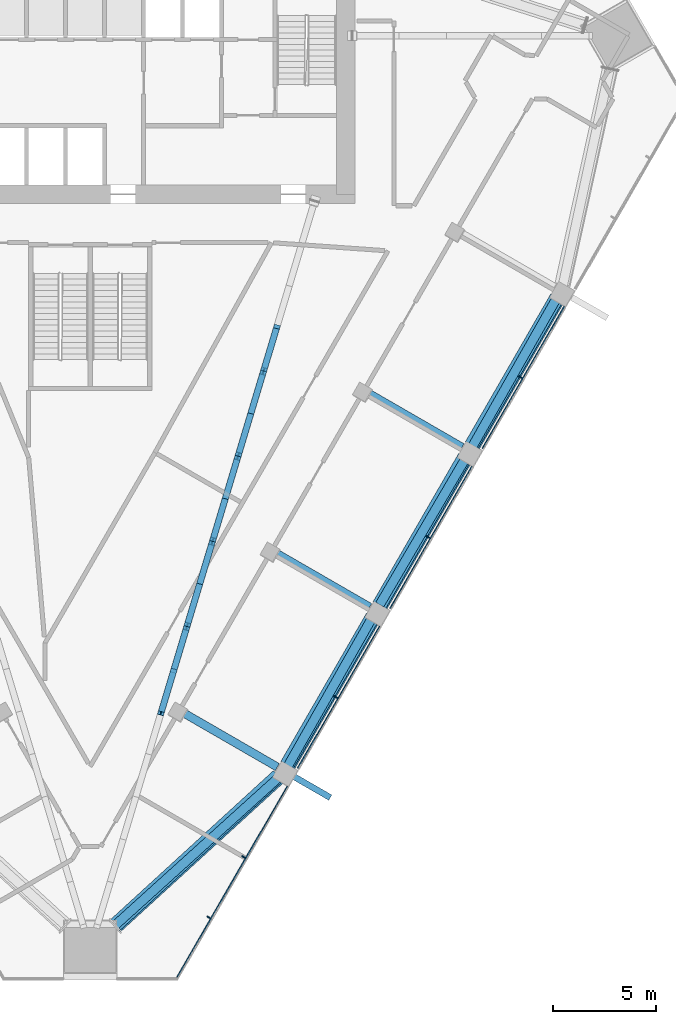
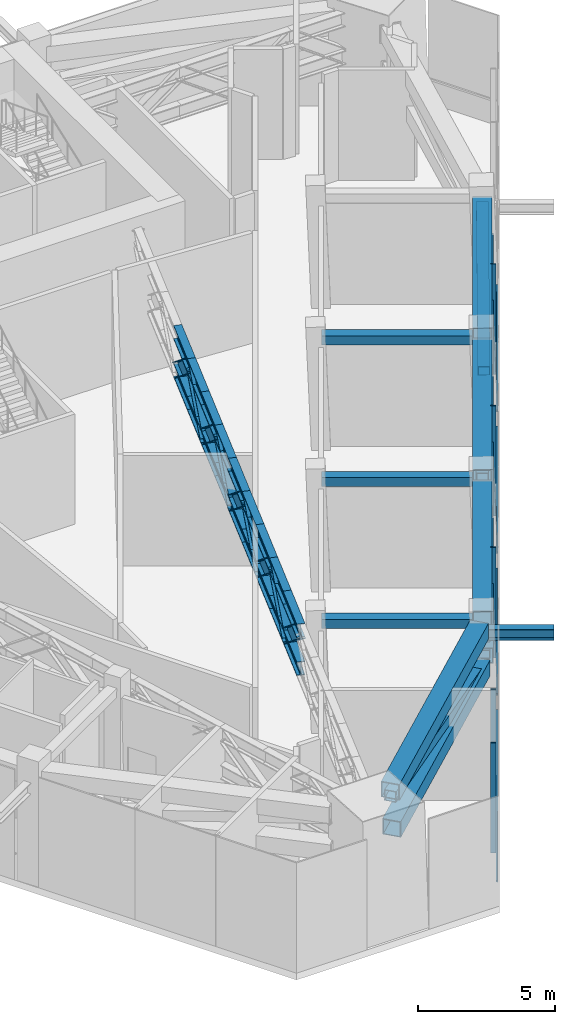
# One storey, part 4 of 15: 49 members, 3 beams, 1 element without a shape of its own.
"""IFC4 building model written with IfcOpenShell, lengths in metres."""

from ifc_helpers import new_model, si_unit, direction, frame, origin, origin_2d, place, context, subcontext, project, spatial, rectangle, hollow_rectangle, i_section, extrude, material, layer, layer_set, material_profile, profile_set, type_object, element, aggregate, save


model = new_model("IFC4")

# Units and contexts
model_context = context("Model", 3, precision=1e-05, world=origin(), true_north=direction((0.0, 1.0)))
body_context = subcontext(model_context, "Body", "Model", "MODEL_VIEW")
ifc_project = project(units=[si_unit("LENGTHUNIT", "METRE"), si_unit("AREAUNIT", "SQUARE_METRE"), si_unit("VOLUMEUNIT", "CUBIC_METRE"), si_unit("PLANEANGLEUNIT", "RADIAN"), si_unit("MASSUNIT", "GRAM", prefix="KILO")], contexts=[model_context])

# Site, building, storey
site_placement = place(None, origin())
site = spatial("IfcSite", under=ifc_project, at=site_placement, CompositionType="ELEMENT")
building_placement = place(site_placement, origin())
building = spatial("IfcBuilding", under=site, at=building_placement, Name="Altiplano Prism Tower", CompositionType="ELEMENT")
storey_placement = place(building_placement, frame((0.0, 0.0, 95.39990234375)))
storey = spatial("IfcBuildingStorey", under=building, at=storey_placement, Name="L24", CompositionType="ELEMENT", Elevation=95.39990234375)

# Members
ifc_material_1 = material(Name="Steel S355", Category="steel")
ifc_material_profile_1 = material_profile(ifc_material_1, hollow_rectangle(XDim=0.699951171875, YDim=0.699951171875, WallThickness=0.034912109375, at=origin_2d()), Name="Belt chord Box 700x700x35")
ifc_profile_set_1 = profile_set([ifc_material_profile_1], Name="Steel S355")
member_type_1 = type_object("IfcMemberType", Name="Belt chord Box 700x700x35", PredefinedType="CHORD", material=ifc_profile_set_1)
member_1_placement = place(storey_placement, frame((86.240966796875, 57.265380859375, 2.9501953125), z_axis=(0.738109005896, 0.674681477006, 0.0), x_axis=(-0.674681477006, 0.738109005896, 0.0)))
element("IfcMember", 1, at=member_1_placement, inside=storey, type_object=member_type_1, Name="Belt truss R1 chord b10", PredefinedType="CHORD", context=body_context, shape_type="SweptSolid", body=[
    extrude(hollow_rectangle(XDim=0.699951171875, YDim=0.699951171875, WallThickness=0.034912109375, at=origin_2d()), origin(), (0.0, 0.0, 1.0), 10.78515625),
])
member_2_placement = place(storey_placement, frame((86.240966796875, 57.35888671875, 4.550048828125), z_axis=(0.738081220215, 0.674711873592, 0.0), x_axis=(-0.674711873592, 0.738081220215, 0.0)))
element("IfcMember", 2, at=member_2_placement, inside=storey, type_object=member_type_1, Name="Belt truss R1 chord t10", PredefinedType="CHORD", context=body_context, shape_type="SweptSolid", body=[
    extrude(hollow_rectangle(XDim=0.699951171875, YDim=0.699951171875, WallThickness=0.034912109375, at=origin_2d()), origin(), (0.0, 0.0, 1.0), 10.7373046875),
])
member_3_placement = place(storey_placement, frame((94.62646484375, 65.0654296875, 2.9501953125), z_axis=(0.499992746786, 0.866029591389, 0.0), x_axis=(-0.866029591389, 0.499992746786, 0.0)))
element("IfcMember", 3, at=member_3_placement, inside=storey, type_object=member_type_1, Name="Belt truss R1 chord b11", PredefinedType="CHORD", context=body_context, shape_type="SweptSolid", body=[
    extrude(hollow_rectangle(XDim=0.699951171875, YDim=0.699951171875, WallThickness=0.034912109375, at=origin_2d()), origin(), (0.0, 0.0, 1.0), 8.33984375),
])
member_4_placement = place(storey_placement, frame((94.5908203125, 65.126953125, 4.550048828125), z_axis=(0.500014701701, 0.866016915587, 0.0), x_axis=(-0.866016915587, 0.500014701701, 0.0)))
element("IfcMember", 4, at=member_4_placement, inside=storey, type_object=member_type_1, Name="Belt truss R1 chord t11", PredefinedType="CHORD", context=body_context, shape_type="SweptSolid", body=[
    extrude(hollow_rectangle(XDim=0.699951171875, YDim=0.699951171875, WallThickness=0.034912109375, at=origin_2d()), origin(), (0.0, 0.0, 1.0), 8.340087890625),
])
member_5_placement = place(storey_placement, frame((99.12646484375, 72.859619140625, 2.9501953125), z_axis=(0.499992746786, 0.866029591389, 0.0), x_axis=(-0.866029591389, 0.499992746786, 0.0)))
element("IfcMember", 5, at=member_5_placement, inside=storey, type_object=member_type_1, Name="Belt truss R1 chord b12", PredefinedType="CHORD", context=body_context, shape_type="SweptSolid", body=[
    extrude(hollow_rectangle(XDim=0.699951171875, YDim=0.699951171875, WallThickness=0.034912109375, at=origin_2d()), origin(), (0.0, 0.0, 1.0), 8.33984375),
])
member_6_placement = place(storey_placement, frame((99.0908203125, 72.921142578125, 4.550048828125), z_axis=(0.500014701701, 0.866016915587, 0.0), x_axis=(-0.866016915587, 0.500014701701, 0.0)))
element("IfcMember", 6, at=member_6_placement, inside=storey, type_object=member_type_1, Name="Belt truss R1 chord t12", PredefinedType="CHORD", context=body_context, shape_type="SweptSolid", body=[
    extrude(hollow_rectangle(XDim=0.699951171875, YDim=0.699951171875, WallThickness=0.034912109375, at=origin_2d()), origin(), (0.0, 0.0, 1.0), 8.340087890625),
])
member_7_placement = place(storey_placement, frame((103.62646484375, 80.65380859375, 2.9501953125), z_axis=(0.499992746786, 0.866029591389, 0.0), x_axis=(-0.866029591389, 0.499992746786, 0.0)))
element("IfcMember", 7, at=member_7_placement, inside=storey, type_object=member_type_1, Name="Belt truss R1 chord b13", PredefinedType="CHORD", context=body_context, shape_type="SweptSolid", body=[
    extrude(hollow_rectangle(XDim=0.699951171875, YDim=0.699951171875, WallThickness=0.034912109375, at=origin_2d()), origin(), (0.0, 0.0, 1.0), 8.33984375),
])
member_8_placement = place(storey_placement, frame((103.5908203125, 80.71533203125, 4.550048828125), z_axis=(0.500014701701, 0.866016915587, 0.0), x_axis=(-0.866016915587, 0.500014701701, 0.0)))
element("IfcMember", 8, at=member_8_placement, inside=storey, type_object=member_type_1, Name="Belt truss R1 chord t13", PredefinedType="CHORD", context=body_context, shape_type="SweptSolid", body=[
    extrude(hollow_rectangle(XDim=0.699951171875, YDim=0.699951171875, WallThickness=0.034912109375, at=origin_2d()), origin(), (0.0, 0.0, 1.0), 8.340087890625),
])
ifc_material_profile_2 = material_profile(ifc_material_1, hollow_rectangle(XDim=0.449951171875, YDim=0.449951171875, WallThickness=0.02490234375, at=origin_2d()), Name="Belt diagonal Box 450x450x25")
ifc_profile_set_2 = profile_set([ifc_material_profile_2], Name="Steel S355")
member_type_2 = type_object("IfcMemberType", Name="Belt diagonal Box 450x450x25", PredefinedType="BRACE", material=ifc_profile_set_2)
member_9_placement = place(storey_placement, frame((86.21728515625, 57.3251953125, 4.34423828125), z_axis=(0.73597993285, 0.665463246419, -0.12446769102), x_axis=(-0.670678670974, 0.741748016715, 0.0)))
element("IfcMember", 9, at=member_9_placement, inside=storey, type_object=member_type_2, Name="Belt truss R1 diagonal 10", PredefinedType="BRACE", context=body_context, shape_type="SweptSolid", body=[
    extrude(hollow_rectangle(XDim=0.449951171875, YDim=0.449951171875, WallThickness=0.02490234375, at=origin_2d()), origin(), (0.0, 0.0, 1.0), 10.846923828125),
])
member_10_placement = place(storey_placement, frame((94.62451171875, 65.06640625, 3.008544921875), z_axis=(0.486525163526, 0.856090263258, 0.174363776085), x_axis=(-0.869408465859, 0.494094039118, 0.0)))
element("IfcMember", 10, at=member_10_placement, inside=storey, type_object=member_type_2, Name="Belt truss R1 diagonal 11", PredefinedType="BRACE", context=body_context, shape_type="SweptSolid", body=[
    extrude(hollow_rectangle(XDim=0.449951171875, YDim=0.449951171875, WallThickness=0.02490234375, at=origin_2d()), origin(), (0.0, 0.0, 1.0), 8.506103515625),
])
member_11_placement = place(storey_placement, frame((99.0927734375, 72.919921875, 4.4912109375), z_axis=(0.498070077838, 0.849150154203, -0.175699212234), x_axis=(-0.862568356186, 0.50594054088, 0.0)))
element("IfcMember", 11, at=member_11_placement, inside=storey, type_object=member_type_2, Name="Belt truss R1 diagonal 12", PredefinedType="BRACE", context=body_context, shape_type="SweptSolid", body=[
    extrude(hollow_rectangle(XDim=0.449951171875, YDim=0.449951171875, WallThickness=0.02490234375, at=origin_2d()), origin(), (0.0, 0.0, 1.0), 8.435791015625),
])
member_12_placement = place(storey_placement, frame((103.62451171875, 80.655029296875, 3.008544921875), z_axis=(0.486525163526, 0.856090263258, 0.174363776085), x_axis=(-0.869408465859, 0.494094039118, 0.0)))
element("IfcMember", 12, at=member_12_placement, inside=storey, type_object=member_type_2, Name="Belt truss R1 diagonal 13", PredefinedType="BRACE", context=body_context, shape_type="SweptSolid", body=[
    extrude(hollow_rectangle(XDim=0.449951171875, YDim=0.449951171875, WallThickness=0.02490234375, at=origin_2d()), origin(), (0.0, 0.0, 1.0), 8.506103515625),
])
ifc_material_profile_3 = material_profile(ifc_material_1, i_section(OverallWidth=0.300048828125, OverallDepth=0.5, WebThickness=0.014404296875, FlangeThickness=0.028076171875, FilletRadius=0.027099609375, at=origin_2d()), Name="Brace bracket HEB 500")
ifc_profile_set_3 = profile_set([ifc_material_profile_3], Name="Steel S355")
member_type_3 = type_object("IfcMemberType", Name="Brace bracket HEB 500", PredefinedType="STRUT", material=ifc_profile_set_3)
member_13_placement = place(storey_placement, frame((94.406982421875, 64.873779296875, 4.165283203125), z_axis=(0.866029095148, -0.499993606316, 0.0), x_axis=(0.499993606316, 0.866029095148, 0.0)))
element("IfcMember", 13, at=member_13_placement, inside=storey, type_object=member_type_3, Name="Brace bracket 2.100.8", PredefinedType="STRUT", context=body_context, shape_type="SweptSolid", body=[
    extrude(i_section(OverallWidth=0.300048828125, OverallDepth=0.5, WebThickness=0.014404296875, FlangeThickness=0.028076171875, FilletRadius=0.027099609375, at=origin_2d()), origin(), (0.0, 0.0, 1.0), 2.64990234375),
])

# Curtain wall, members
ifc_material_2 = material(Name="Aluminium and glass", Category="aluminium")
ifc_layer = layer(ifc_material_2, 0.320068359375)
ifc_layer_set = layer_set([ifc_layer], Name="Aluminium and glass")
curtain_wall_type = type_object("IfcCurtainWallType", Name="CW6 louvred plant-floor curtain wall", PredefinedType="NOTDEFINED", material=ifc_layer_set)
curtain_wall_placement = place(storey_placement, origin())
curtain_wall = element("IfcCurtainWall", 14, at=curtain_wall_placement, inside=storey, type_object=curtain_wall_type, Name="CW6 curtain wall south-east face L24", PredefinedType="NOTDEFINED")
ifc_material_3 = material(Name="Aluminium", Category="aluminium")
ifc_material_profile_4 = material_profile(ifc_material_3, rectangle(XDim=0.199951171875, YDim=0.06005859375, at=origin_2d()), Name="CW6 mullion 60 x 200")
ifc_profile_set_4 = profile_set([ifc_material_profile_4], Name="Aluminium")
member_type_4 = type_object("IfcMemberType", Name="CW6 mullion 60 x 200", PredefinedType="MULLION", material=ifc_profile_set_4)
member_14_placement = place(storey_placement, frame((90.77734375, 57.711181640625, 0.0), z_axis=(0.0, 0.0, 1.0), x_axis=(-0.86602540498, 0.499999997929, 0.0)))
member_14 = element("IfcMember", 15, at=member_14_placement, type_object=member_type_4, Name="CW6 mullion", PredefinedType="MULLION", context=body_context, shape_type="SweptSolid", body=[
    extrude(rectangle(XDim=0.199951171875, YDim=0.06005859375, at=origin_2d()), origin(), (0.0, 0.0, 1.0), 4.900146484375),
])
member_15_placement = place(storey_placement, frame((92.476318359375, 60.65380859375, 0.0), z_axis=(0.0, 0.0, 1.0), x_axis=(-0.86602540498, 0.499999997929, 0.0)))
member_15 = element("IfcMember", 16, at=member_15_placement, type_object=member_type_4, Name="CW6 mullion", PredefinedType="MULLION", context=body_context, shape_type="SweptSolid", body=[
    extrude(rectangle(XDim=0.199951171875, YDim=0.06005859375, at=origin_2d()), origin(), (0.0, 0.0, 1.0), 4.900146484375),
])
member_16_placement = place(storey_placement, frame((96.976318359375, 68.4482421875, 0.0), z_axis=(0.0, 0.0, 1.0), x_axis=(-0.86602540498, 0.499999997929, 0.0)))
member_16 = element("IfcMember", 17, at=member_16_placement, type_object=member_type_4, Name="CW6 mullion", PredefinedType="MULLION", context=body_context, shape_type="SweptSolid", body=[
    extrude(rectangle(XDim=0.199951171875, YDim=0.06005859375, at=origin_2d()), origin(), (0.0, 0.0, 1.0), 4.900146484375),
])
member_17_placement = place(storey_placement, frame((101.476318359375, 76.242431640625, 0.0), z_axis=(0.0, 0.0, 1.0), x_axis=(-0.86602540498, 0.499999997929, 0.0)))
member_17 = element("IfcMember", 18, at=member_17_placement, type_object=member_type_4, Name="CW6 mullion", PredefinedType="MULLION", context=body_context, shape_type="SweptSolid", body=[
    extrude(rectangle(XDim=0.199951171875, YDim=0.06005859375, at=origin_2d()), origin(), (0.0, 0.0, 1.0), 4.900146484375),
])
member_18_placement = place(storey_placement, frame((105.976318359375, 84.03662109375, 0.0), z_axis=(0.0, 0.0, 1.0), x_axis=(-0.86602540498, 0.499999997929, 0.0)))
member_18 = element("IfcMember", 19, at=member_18_placement, type_object=member_type_4, Name="CW6 mullion", PredefinedType="MULLION", context=body_context, shape_type="SweptSolid", body=[
    extrude(rectangle(XDim=0.199951171875, YDim=0.06005859375, at=origin_2d()), origin(), (0.0, 0.0, 1.0), 4.900146484375),
])
ifc_material_profile_5 = material_profile(ifc_material_3, rectangle(XDim=0.06005859375, YDim=0.080078125, at=origin_2d()), Name="CW6 transom 80 x 60")
ifc_profile_set_5 = profile_set([ifc_material_profile_5], Name="Aluminium")
member_type_5 = type_object("IfcMemberType", Name="CW6 transom 80 x 60", PredefinedType="USERDEFINED", material=ifc_profile_set_5)
member_19_placement = place(storey_placement, frame((89.19091796875, 54.70361328125, 1.10009765625), z_axis=(0.500003046405, 0.866023644935, 0.0), x_axis=(-0.866023644935, 0.500003046405, 0.0)))
member_19 = element("IfcMember", 20, at=member_19_placement, type_object=member_type_5, Name="CW6 transom", ObjectType="TRANSOM", PredefinedType="USERDEFINED", context=body_context, shape_type="SweptSolid", body=[
    extrude(rectangle(XDim=0.06005859375, YDim=0.080078125, at=origin_2d()), origin(), (0.0, 0.0, 1.0), 10.845703125),
])
member_20_placement = place(storey_placement, frame((95.123779296875, 64.979736328125, 1.10009765625), z_axis=(0.500012007223, 0.8660184713, 0.0), x_axis=(-0.8660184713, 0.500012007223, 0.0)))
member_20 = element("IfcMember", 21, at=member_20_placement, type_object=member_type_5, Name="CW6 transom", ObjectType="TRANSOM", PredefinedType="USERDEFINED", context=body_context, shape_type="SweptSolid", body=[
    extrude(rectangle(XDim=0.06005859375, YDim=0.080078125, at=origin_2d()), origin(), (0.0, 0.0, 1.0), 7.979736328125),
])
member_21_placement = place(storey_placement, frame((99.623779296875, 72.77392578125, 1.10009765625), z_axis=(0.499998759335, 0.866026120082, 0.0), x_axis=(-0.866026120082, 0.499998759335, 0.0)))
member_21 = element("IfcMember", 22, at=member_21_placement, type_object=member_type_5, Name="CW6 transom", ObjectType="TRANSOM", PredefinedType="USERDEFINED", context=body_context, shape_type="SweptSolid", body=[
    extrude(rectangle(XDim=0.06005859375, YDim=0.080078125, at=origin_2d()), origin(), (0.0, 0.0, 1.0), 7.97998046875),
])
member_22_placement = place(storey_placement, frame((104.123779296875, 80.568115234375, 1.10009765625), z_axis=(0.499998759335, 0.866026120082, 0.0), x_axis=(-0.866026120082, 0.499998759335, 0.0)))
member_22 = element("IfcMember", 23, at=member_22_placement, type_object=member_type_5, Name="CW6 transom", ObjectType="TRANSOM", PredefinedType="USERDEFINED", context=body_context, shape_type="SweptSolid", body=[
    extrude(rectangle(XDim=0.06005859375, YDim=0.080078125, at=origin_2d()), origin(), (0.0, 0.0, 1.0), 7.97998046875),
])
aggregate(curtain_wall, [member_14, member_15, member_19, member_16, member_20, member_17, member_21, member_18, member_22])

# Members
ifc_material_profile_6 = material_profile(ifc_material_1, i_section(OverallWidth=0.304931640625, OverallDepth=0.6201171875, WebThickness=0.02099609375, FlangeThickness=0.0400390625, FilletRadius=0.027099609375, at=origin_2d()), Name="Outrigger chord HEM 600")
ifc_profile_set_6 = profile_set([ifc_material_profile_6], Name="Steel S355")
member_type_6 = type_object("IfcMemberType", Name="Outrigger chord HEM 600", PredefinedType="CHORD", material=ifc_profile_set_6)
for number, where, z_axis, x_axis, name in (
    (24, (88.469482421875, 67.739501953125, 2.91015625), (0.287420241393, 0.957804575494, 0.0), (-0.957804575494, 0.287420241393, 0.0), "Outrigger truss R1 4 chord b6"),
    (25, (88.469482421875, 67.739501953125, 4.590087890625), (0.287420241393, 0.957804575494, 0.0), (-0.957804575494, 0.287420241393, 0.0), "Outrigger truss R1 4 chord t6"),
):
    element("IfcMember", number, at=place(storey_placement, frame(where, z_axis=z_axis, x_axis=x_axis)), inside=storey, type_object=member_type_6, Name=name, PredefinedType="CHORD", context=body_context, shape_type="SweptSolid", body=[
        extrude(i_section(OverallWidth=0.304931640625, OverallDepth=0.6201171875, WebThickness=0.02099609375, FlangeThickness=0.0400390625, FilletRadius=0.027099609375, at=origin_2d()), origin(), (0.0, 0.0, 1.0), 2.1669921875),
    ])
for number, where, z_axis, x_axis, name in (
    (26, (89.09228515625, 69.81494140625, 2.91015625), (0.287451261687, 0.957795266304, 0.0), (-0.957795266304, 0.287451261687, 0.0), "Outrigger truss R1 4 chord b7"),
    (27, (89.09228515625, 69.81494140625, 4.590087890625), (0.287451261687, 0.957795266304, 0.0), (-0.957795266304, 0.287451261687, 0.0), "Outrigger truss R1 4 chord t7"),
):
    element("IfcMember", number, at=place(storey_placement, frame(where, z_axis=z_axis, x_axis=x_axis)), inside=storey, type_object=member_type_6, Name=name, PredefinedType="CHORD", context=body_context, shape_type="SweptSolid", body=[
        extrude(i_section(OverallWidth=0.304931640625, OverallDepth=0.6201171875, WebThickness=0.02099609375, FlangeThickness=0.0400390625, FilletRadius=0.027099609375, at=origin_2d()), origin(), (0.0, 0.0, 1.0), 2.166748046875),
    ])
for number, where, z_axis, x_axis, name in (
    (28, (89.715087890625, 71.89013671875, 2.91015625), (0.287420241393, 0.957804575494, 0.0), (-0.957804575494, 0.287420241393, 0.0), "Outrigger truss R1 4 chord b8"),
    (29, (89.715087890625, 71.89013671875, 4.590087890625), (0.287420241393, 0.957804575494, 0.0), (-0.957804575494, 0.287420241393, 0.0), "Outrigger truss R1 4 chord t8"),
    (30, (90.337890625, 73.965576171875, 2.91015625), (0.287420241393, 0.957804575494, 0.0), (-0.957804575494, 0.287420241393, 0.0), "Outrigger truss R1 4 chord b9"),
    (31, (90.337890625, 73.965576171875, 4.590087890625), (0.287420241393, 0.957804575494, 0.0), (-0.957804575494, 0.287420241393, 0.0), "Outrigger truss R1 4 chord t9"),
):
    element("IfcMember", number, at=place(storey_placement, frame(where, z_axis=z_axis, x_axis=x_axis)), inside=storey, type_object=member_type_6, Name=name, PredefinedType="CHORD", context=body_context, shape_type="SweptSolid", body=[
        extrude(i_section(OverallWidth=0.304931640625, OverallDepth=0.6201171875, WebThickness=0.02099609375, FlangeThickness=0.0400390625, FilletRadius=0.027099609375, at=origin_2d()), origin(), (0.0, 0.0, 1.0), 2.1669921875),
    ])
for number, where, z_axis, x_axis, name in (
    (32, (90.960693359375, 76.041015625, 2.91015625), (0.287451261687, 0.957795266304, 0.0), (-0.957795266304, 0.287451261687, 0.0), "Outrigger truss R1 4 chord b10"),
    (33, (90.960693359375, 76.041015625, 4.590087890625), (0.287451261687, 0.957795266304, 0.0), (-0.957795266304, 0.287451261687, 0.0), "Outrigger truss R1 4 chord t10"),
):
    element("IfcMember", number, at=place(storey_placement, frame(where, z_axis=z_axis, x_axis=x_axis)), inside=storey, type_object=member_type_6, Name=name, PredefinedType="CHORD", context=body_context, shape_type="SweptSolid", body=[
        extrude(i_section(OverallWidth=0.304931640625, OverallDepth=0.6201171875, WebThickness=0.02099609375, FlangeThickness=0.0400390625, FilletRadius=0.027099609375, at=origin_2d()), origin(), (0.0, 0.0, 1.0), 2.166748046875),
    ])
for number, where, z_axis, x_axis, name in (
    (34, (91.58349609375, 78.1162109375, 2.91015625), (0.287420241393, 0.957804575494, 0.0), (-0.957804575494, 0.287420241393, 0.0), "Outrigger truss R1 4 chord b11"),
    (35, (91.58349609375, 78.1162109375, 4.590087890625), (0.287420241393, 0.957804575494, 0.0), (-0.957804575494, 0.287420241393, 0.0), "Outrigger truss R1 4 chord t11"),
):
    element("IfcMember", number, at=place(storey_placement, frame(where, z_axis=z_axis, x_axis=x_axis)), inside=storey, type_object=member_type_6, Name=name, PredefinedType="CHORD", context=body_context, shape_type="SweptSolid", body=[
        extrude(i_section(OverallWidth=0.304931640625, OverallDepth=0.6201171875, WebThickness=0.02099609375, FlangeThickness=0.0400390625, FilletRadius=0.027099609375, at=origin_2d()), origin(), (0.0, 0.0, 1.0), 2.1669921875),
    ])
for number, where, z_axis, x_axis, name in (
    (36, (92.206298828125, 80.191650390625, 2.91015625), (0.287451261687, 0.957795266304, 0.0), (-0.957795266304, 0.287451261687, 0.0), "Outrigger truss R1 4 chord b12"),
    (37, (92.206298828125, 80.191650390625, 4.590087890625), (0.287451261687, 0.957795266304, 0.0), (-0.957795266304, 0.287451261687, 0.0), "Outrigger truss R1 4 chord t12"),
):
    element("IfcMember", number, at=place(storey_placement, frame(where, z_axis=z_axis, x_axis=x_axis)), inside=storey, type_object=member_type_6, Name=name, PredefinedType="CHORD", context=body_context, shape_type="SweptSolid", body=[
        extrude(i_section(OverallWidth=0.304931640625, OverallDepth=0.6201171875, WebThickness=0.02099609375, FlangeThickness=0.0400390625, FilletRadius=0.027099609375, at=origin_2d()), origin(), (0.0, 0.0, 1.0), 2.166748046875),
    ])
for number, where, z_axis, x_axis, name in (
    (38, (92.8291015625, 82.266845703125, 2.91015625), (0.287420241393, 0.957804575494, 0.0), (-0.957804575494, 0.287420241393, 0.0), "Outrigger truss R1 4 chord b13"),
    (39, (92.8291015625, 82.266845703125, 4.590087890625), (0.287420241393, 0.957804575494, 0.0), (-0.957804575494, 0.287420241393, 0.0), "Outrigger truss R1 4 chord t13"),
    (40, (93.451904296875, 84.34228515625, 2.91015625), (0.287420241393, 0.957804575494, 0.0), (-0.957804575494, 0.287420241393, 0.0), "Outrigger truss R1 4 chord b14"),
    (41, (93.451904296875, 84.34228515625, 4.590087890625), (0.287420241393, 0.957804575494, 0.0), (-0.957804575494, 0.287420241393, 0.0), "Outrigger truss R1 4 chord t14"),
):
    element("IfcMember", number, at=place(storey_placement, frame(where, z_axis=z_axis, x_axis=x_axis)), inside=storey, type_object=member_type_6, Name=name, PredefinedType="CHORD", context=body_context, shape_type="SweptSolid", body=[
        extrude(i_section(OverallWidth=0.304931640625, OverallDepth=0.6201171875, WebThickness=0.02099609375, FlangeThickness=0.0400390625, FilletRadius=0.027099609375, at=origin_2d()), origin(), (0.0, 0.0, 1.0), 2.1669921875),
    ])
ifc_material_profile_7 = material_profile(ifc_material_1, i_section(OverallWidth=0.300048828125, OverallDepth=0.60009765625, WebThickness=0.015380859375, FlangeThickness=0.030029296875, FilletRadius=0.027099609375, at=origin_2d()), Name="Outrigger diagonal HEB 600")
ifc_profile_set_7 = profile_set([ifc_material_profile_7], Name="Steel S355")
member_type_7 = type_object("IfcMemberType", Name="Outrigger diagonal HEB 600", PredefinedType="BRACE", material=ifc_profile_set_7)
for number, where, z_axis, x_axis, name in (
    (42, (88.469482421875, 67.739501953125, 4.590087890625), (0.227150512193, 0.756960605313, -0.612709790043), (-0.957804575494, 0.287420241393, 0.0), "Outrigger truss R1 4 diagonal 6"),
    (43, (89.09228515625, 69.81494140625, 2.91015625), (0.227165823372, 0.756922578855, 0.612751090012), (-0.957795266304, 0.287451261687, 0.0), "Outrigger truss R1 4 diagonal 7"),
    (44, (89.715087890625, 71.89013671875, 4.590087890625), (0.227150512193, 0.756960605313, -0.612709790043), (-0.957804575494, 0.287420241393, 0.0), "Outrigger truss R1 4 diagonal 8"),
    (45, (90.337890625, 73.965576171875, 2.91015625), (0.227150512193, 0.756960605313, 0.612709790043), (-0.957804575494, 0.287420241393, 0.0), "Outrigger truss R1 4 diagonal 9"),
    (46, (90.960693359375, 76.041015625, 4.590087890625), (0.227165823372, 0.756922578855, -0.612751090012), (-0.957795266304, 0.287451261687, 0.0), "Outrigger truss R1 4 diagonal 10"),
    (47, (91.58349609375, 78.1162109375, 2.91015625), (0.227150512193, 0.756960605313, 0.612709790043), (-0.957804575494, 0.287420241393, 0.0), "Outrigger truss R1 4 diagonal 11"),
    (48, (92.206298828125, 80.191650390625, 4.590087890625), (0.227165823372, 0.756922578855, -0.612751090012), (-0.957795266304, 0.287451261687, 0.0), "Outrigger truss R1 4 diagonal 12"),
    (49, (92.8291015625, 82.266845703125, 2.91015625), (0.227150512193, 0.756960605313, 0.612709790043), (-0.957804575494, 0.287420241393, 0.0), "Outrigger truss R1 4 diagonal 13"),
    (50, (93.451904296875, 84.34228515625, 4.590087890625), (0.227150512193, 0.756960605313, -0.612709790043), (-0.957804575494, 0.287420241393, 0.0), "Outrigger truss R1 4 diagonal 14"),
):
    element("IfcMember", number, at=place(storey_placement, frame(where, z_axis=z_axis, x_axis=x_axis)), inside=storey, type_object=member_type_7, Name=name, PredefinedType="BRACE", context=body_context, shape_type="SweptSolid", body=[
        extrude(i_section(OverallWidth=0.300048828125, OverallDepth=0.60009765625, WebThickness=0.015380859375, FlangeThickness=0.030029296875, FilletRadius=0.027099609375, at=origin_2d()), origin(), (0.0, 0.0, 1.0), 2.74169921875),
    ])

# Beams
ifc_material_4 = material(Name="Concrete C60/75", Category="concrete")
ifc_material_profile_8 = material_profile(ifc_material_4, rectangle(XDim=0.39990234375, YDim=0.39990234375, at=origin_2d()), Name="Tie beam 400x400")
ifc_profile_set_8 = profile_set([ifc_material_profile_8], Name="Concrete C60/75")
beam_type = type_object("IfcBeamType", Name="Tie beam 400x400", PredefinedType="BEAM", material=ifc_profile_set_8)
for number, where, z_axis, x_axis, name in (
    (51, (89.36669921875, 67.783935546875, 4.7001953125), (0.866023410697, -0.500003452112, 0.0), (0.500003452112, 0.866023410697, 0.0), "Tie beam I21 L25"),
    (52, (93.86669921875, 75.578125, 4.7001953125), (0.866023410697, -0.500003452112, 0.0), (0.500003452112, 0.866023410697, 0.0), "Tie beam I22 L25"),
    (53, (98.36669921875, 83.372314453125, 4.7001953125), (0.866023410697, -0.500003452112, 0.0), (0.500003452112, 0.866023410697, 0.0), "Tie beam I23 L25"),
):
    element("IfcBeam", number, at=place(storey_placement, frame(where, z_axis=z_axis, x_axis=x_axis)), inside=storey, type_object=beam_type, Name=name, PredefinedType="BEAM", context=body_context, shape_type="SweptSolid", body=[
        extrude(rectangle(XDim=0.39990234375, YDim=0.39990234375, at=origin_2d()), origin(), (0.0, 0.0, 1.0), 5.490234375),
    ])

save(model, "model.ifc")
